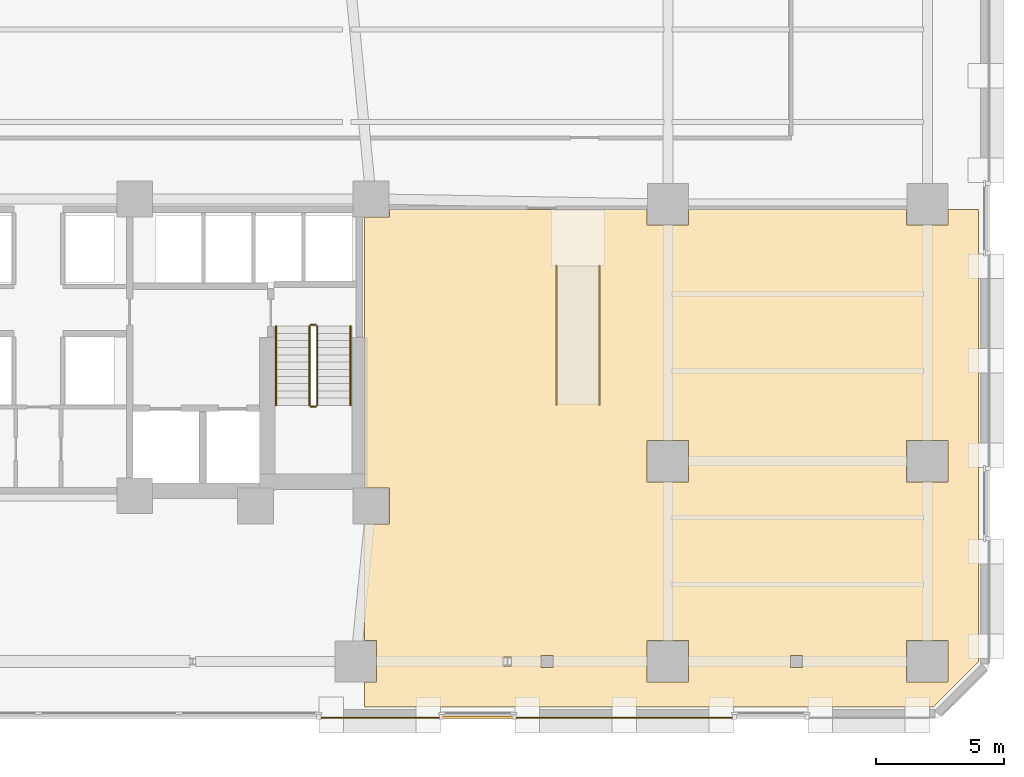
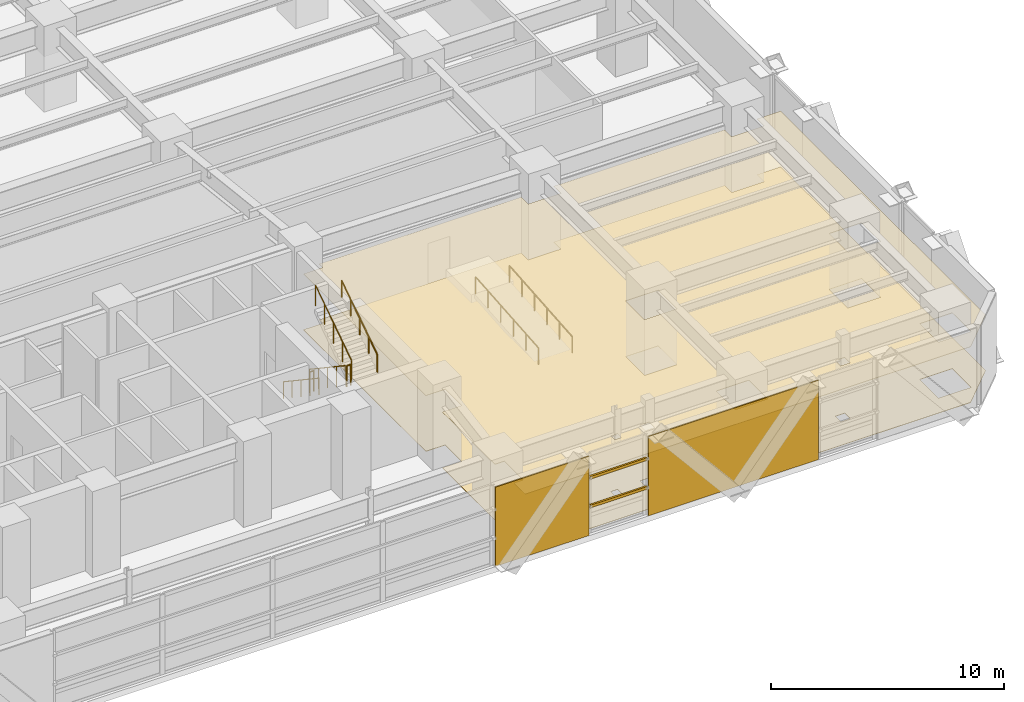
# One storey, part 22 of 26: 8 railings, 4 coverings, 2 shading devices.
"""IFC4 building model written with IfcOpenShell, lengths in metres."""

from ifc_helpers import new_model, si_unit, direction, frame, origin, origin_2d, place, context, subcontext, project, spatial, polyline, rectangle, circle, outline, extrude, material, layer, layer_set, material_profile, profile_set, type_object, element, save


model = new_model("IFC4")

# Units and contexts
model_context = context("Model", 3, precision=1e-05, world=origin(), true_north=direction((0.0, 1.0)))
body_context = subcontext(model_context, "Body", "Model", "MODEL_VIEW")
ifc_project = project(units=[si_unit("LENGTHUNIT", "METRE"), si_unit("AREAUNIT", "SQUARE_METRE"), si_unit("VOLUMEUNIT", "CUBIC_METRE"), si_unit("PLANEANGLEUNIT", "RADIAN"), si_unit("MASSUNIT", "GRAM", prefix="KILO")], contexts=[model_context])

# Site, building, storey
site_placement = place(None, origin())
site = spatial("IfcSite", under=ifc_project, at=site_placement, CompositionType="ELEMENT")
building_placement = place(site_placement, origin())
building = spatial("IfcBuilding", under=site, at=building_placement, Name="Quenlor Broadcast Tower", CompositionType="ELEMENT")
storey_placement = place(building_placement, frame((0.0, 0.0, 5.0)))
storey = spatial("IfcBuildingStorey", under=building, at=storey_placement, Name="L01", CompositionType="ELEMENT", Elevation=5.0)

# Covering
ifc_material_1 = material(Name="Acoustic Mineral Fibre Board", Category="other")
ifc_layer_1 = layer(ifc_material_1, 0.02490234375)
ifc_layer_set_1 = layer_set([ifc_layer_1], Name="Acoustic Perforated Mineral Tile Ceiling 25")
covering_type_1 = type_object("IfcCoveringType", Name="Acoustic Perforated Mineral Tile Ceiling 25", PredefinedType="CEILING", material=ifc_layer_set_1)
covering_1_placement = place(storey_placement, frame((0.0, 0.0, 2.925048828125)))
element("IfcCovering", 1, at=covering_1_placement, inside=storey, type_object=covering_type_1, Name="L01 Acoustic Ceiling L01-34", PredefinedType="CEILING", context=body_context, shape_type="SweptSolid", body=[
    extrude(outline(polyline([(12.699951171875, -24.580078125), (12.699951171875, -23.60791015625), (13.157958984375, -23.60791015625), (13.157958984375, -21.991943359375), (12.699951171875, -21.991943359375), (12.699951171875, -17.4580078125), (13.657958984375, -17.4580078125), (13.657958984375, -16.0419921875), (12.699951171875, -16.0419921875), (12.699951171875, -5.508056640625), (13.657958984375, -5.508056640625), (13.657958984375, -5.199951171875), (23.69189453125, -5.199951171875), (23.69189453125, -5.80810546875), (25.30810546875, -5.80810546875), (25.30810546875, -5.199951171875), (33.7919921875, -5.199951171875), (33.7919921875, -5.80810546875), (35.407958984375, -5.80810546875), (35.407958984375, -5.199951171875), (36.580078125, -5.199951171875), (36.580078125, -22.825927734375), (34.825927734375, -24.580078125), (12.699951171875, -24.580078125)]), holes=[polyline([(25.30810546875, -23.60791015625), (25.30810546875, -21.991943359375), (23.69189453125, -21.991943359375), (23.69189453125, -23.60791015625), (25.30810546875, -23.60791015625)]), polyline([(35.407958984375, -23.60791015625), (35.407958984375, -21.991943359375), (33.7919921875, -21.991943359375), (33.7919921875, -23.60791015625), (35.407958984375, -23.60791015625)]), polyline([(29.73291015625, -23.032958984375), (29.73291015625, -22.56689453125), (29.26708984375, -22.56689453125), (29.26708984375, -23.032958984375), (29.73291015625, -23.032958984375)]), polyline([(20.032958984375, -23.032958984375), (20.032958984375, -22.56689453125), (19.56689453125, -22.56689453125), (19.56689453125, -23.032958984375), (20.032958984375, -23.032958984375)]), polyline([(18.41259765625, -22.631591796875), (18.08740234375, -22.631591796875), (18.08740234375, -22.96826171875), (18.41259765625, -22.96826171875), (18.41259765625, -22.631591796875)]), polyline([(25.30810546875, -15.80810546875), (25.30810546875, -14.19189453125), (23.69189453125, -14.19189453125), (23.69189453125, -15.80810546875), (25.30810546875, -15.80810546875)]), polyline([(35.407958984375, -15.80810546875), (35.407958984375, -14.19189453125), (33.7919921875, -14.19189453125), (33.7919921875, -15.80810546875), (35.407958984375, -15.80810546875)])]), origin(), (0.0, 0.0, 1.0), 0.02490234375),
])

# Shading devices
ifc_material_2 = material(Name="Architectural Terracotta Ceramic", Category="masonry")
ifc_material_profile = material_profile(ifc_material_2, rectangle(XDim=0.090087890625, YDim=0.139892578125, at=origin_2d()))
ifc_profile_set = profile_set([ifc_material_profile], Name="Architectural Terracotta Ceramic BAG90x140")
shading_device_type = type_object("IfcShadingDeviceType", Name="Copper Terracotta Baguette Solar Screen 140", PredefinedType="USERDEFINED", material=ifc_profile_set)
for number, where, z_axis, x_axis, name in (
    (2, (18.509521484375, -24.972900390625, 1.511962890625), (-1.0, 0.0, 0.0), (0.0, -1.0, 0.0), "L01 Terracotta Baguette Screen 1"),
    (3, (18.509521484375, -24.972900390625, 3.02392578125), (-1.0, 0.0, 0.0), (0.0, -1.0, 0.0), "L01 Terracotta Baguette Screen 2"),
):
    element("IfcShadingDevice", number, at=place(storey_placement, frame(where, z_axis=z_axis, x_axis=x_axis)), inside=storey, type_object=shading_device_type, Name=name, ObjectType="BAGUETTE", PredefinedType="USERDEFINED", context=body_context, shape_type="SweptSolid", body=[
        extrude(rectangle(XDim=0.090087890625, YDim=0.139892578125, at=origin_2d()), origin(), (0.0, 0.0, 1.0), 2.819091796875),
    ])

# Coverings
ifc_material_3 = material(Name="Architectural Terracotta Ceramic", Category="masonry")
ifc_layer_2 = layer(ifc_material_3, 0.044921875)
ifc_layer_set_2 = layer_set([ifc_layer_2], Name="Fluted Terracotta Rainscreen Cladding Panel")
covering_type_2 = type_object("IfcCoveringType", Name="Fluted Terracotta Rainscreen Cladding Panel", PredefinedType="CLADDING", material=ifc_layer_set_2)
covering_2_placement = place(storey_placement, frame((0.0, 0.0, 0.02001953125)))
element("IfcCovering", 4, at=covering_2_placement, inside=storey, type_object=covering_type_2, Name="L01 Terracotta Rainscreen Cladding L01-S-FULL-SP2", PredefinedType="CLADDING", context=body_context, shape_type="SweptSolid", body=[
    extrude(outline(polyline([(27.01953125, -24.971923828125), (18.58056640625, -24.971923828125), (18.58056640625, -25.01708984375), (27.01953125, -25.01708984375), (27.01953125, -24.971923828125)])), origin(), (0.0, 0.0, 1.0), 4.159912109375),
])
covering_3_placement = place(storey_placement, frame((0.0, 0.0, 0.02001953125)))
element("IfcCovering", 5, at=covering_3_placement, inside=storey, type_object=covering_type_2, Name="L01 Terracotta Rainscreen Cladding L01-S-FULL-SP3", PredefinedType="CLADDING", context=body_context, shape_type="SweptSolid", body=[
    extrude(outline(polyline([(15.619384765625, -24.971923828125), (10.98046875, -24.971923828125), (10.98046875, -25.01708984375), (15.619384765625, -25.01708984375), (15.619384765625, -24.971923828125)])), origin(), (0.0, 0.0, 1.0), 4.159912109375),
])
ifc_material_4 = material(Name="Terrazzo Stone Finish", Category="masonry")
ifc_layer_3 = layer(ifc_material_4, 0.02001953125)
ifc_layer_set_3 = layer_set([ifc_layer_3], Name="Polished Sandstone Terrazzo Flooring 20")
covering_type_3 = type_object("IfcCoveringType", Name="Polished Sandstone Terrazzo Flooring 20", PredefinedType="FLOORING", material=ifc_layer_set_3)
covering_4_placement = place(storey_placement, origin())
element("IfcCovering", 6, at=covering_4_placement, inside=storey, type_object=covering_type_3, Name="L01 Terrazzo Flooring L01-34", PredefinedType="FLOORING", context=body_context, shape_type="SweptSolid", body=[
    extrude(outline(polyline([(12.699951171875, -24.580078125), (12.699951171875, -23.60791015625), (13.157958984375, -23.60791015625), (13.157958984375, -21.991943359375), (12.699951171875, -21.991943359375), (12.699951171875, -17.4580078125), (13.657958984375, -17.4580078125), (13.657958984375, -16.0419921875), (12.699951171875, -16.0419921875), (12.699951171875, -5.508056640625), (13.657958984375, -5.508056640625), (13.657958984375, -5.199951171875), (23.69189453125, -5.199951171875), (23.69189453125, -5.80810546875), (25.30810546875, -5.80810546875), (25.30810546875, -5.199951171875), (33.7919921875, -5.199951171875), (33.7919921875, -5.80810546875), (35.407958984375, -5.80810546875), (35.407958984375, -5.199951171875), (36.580078125, -5.199951171875), (36.580078125, -22.825927734375), (34.825927734375, -24.580078125), (12.699951171875, -24.580078125)]), holes=[polyline([(25.30810546875, -23.60791015625), (25.30810546875, -21.991943359375), (23.69189453125, -21.991943359375), (23.69189453125, -23.60791015625), (25.30810546875, -23.60791015625)]), polyline([(35.407958984375, -23.60791015625), (35.407958984375, -21.991943359375), (33.7919921875, -21.991943359375), (33.7919921875, -23.60791015625), (35.407958984375, -23.60791015625)]), polyline([(29.73291015625, -23.032958984375), (29.73291015625, -22.56689453125), (29.26708984375, -22.56689453125), (29.26708984375, -23.032958984375), (29.73291015625, -23.032958984375)]), polyline([(20.032958984375, -23.032958984375), (20.032958984375, -22.56689453125), (19.56689453125, -22.56689453125), (19.56689453125, -23.032958984375), (20.032958984375, -23.032958984375)]), polyline([(18.41259765625, -22.631591796875), (18.08740234375, -22.631591796875), (18.08740234375, -22.96826171875), (18.41259765625, -22.96826171875), (18.41259765625, -22.631591796875)]), polyline([(25.30810546875, -15.80810546875), (25.30810546875, -14.19189453125), (23.69189453125, -14.19189453125), (23.69189453125, -15.80810546875), (25.30810546875, -15.80810546875)]), polyline([(35.407958984375, -15.80810546875), (35.407958984375, -14.19189453125), (33.7919921875, -14.19189453125), (33.7919921875, -15.80810546875), (35.407958984375, -15.80810546875)])]), origin(), (0.0, 0.0, 1.0), 0.02001953125),
])

# Railings
ifc_material_5 = material(Name="Anodised Aluminium", Category="aluminium")
railing_type_1 = type_object("IfcRailingType", Name="Stainless Aluminium Wall Handrail 900", PredefinedType="HANDRAIL", material=ifc_material_5)
railing_1_placement = place(storey_placement, frame((9.25, -9.75, 0.1875)))
element("IfcRailing", 7, at=railing_1_placement, inside=storey, type_object=railing_type_1, Name="L01 ST-2 stair handrail 1", PredefinedType="HANDRAIL", context=body_context, shape_type="SweptSolid", body=[
    extrude(circle(Radius=0.02392578125, at=origin_2d()), frame((0.0, 0.0, 0.8759765625), z_axis=(0.0, -0.830913701846, 0.55640131208), x_axis=(1.0, 0.0, 0.0)), (0.0, 0.0, 1.0), 3.706787109375),
    extrude(circle(Radius=0.02099609375, at=origin_2d()), origin(), (0.0, 0.0, 1.0), 0.851806640625),
    extrude(circle(Radius=0.02099609375, at=origin_2d()), frame((0.0, -0.77001953125, 0.515625)), (0.0, 0.0, 1.0), 0.851806640625),
    extrude(circle(Radius=0.02099609375, at=origin_2d()), frame((0.0, -1.5400390625, 1.03125)), (0.0, 0.0, 1.0), 0.851806640625),
    extrude(circle(Radius=0.02099609375, at=origin_2d()), frame((0.0, -2.31005859375, 1.546875)), (0.0, 0.0, 1.0), 0.851806640625),
    extrude(circle(Radius=0.02099609375, at=origin_2d()), frame((0.0, -3.080078125, 2.0625)), (0.0, 0.0, 1.0), 0.851806640625),
])
railing_2_placement = place(storey_placement, frame((12.14990234375, -12.830078125, 2.4375)))
element("IfcRailing", 8, at=railing_2_placement, inside=storey, type_object=railing_type_1, Name="L01 ST-2 stair handrail 2", PredefinedType="HANDRAIL", context=body_context, shape_type="SweptSolid", body=[
    extrude(circle(Radius=0.02392578125, at=origin_2d()), frame((0.0, 0.0, 0.8759765625), z_axis=(0.0, 0.830913701846, 0.55640131208), x_axis=(-1.0, 0.0, 0.0)), (0.0, 0.0, 1.0), 3.706787109375),
    extrude(circle(Radius=0.02099609375, at=origin_2d()), origin(), (0.0, 0.0, 1.0), 0.851806640625),
    extrude(circle(Radius=0.02099609375, at=origin_2d()), frame((0.0, 0.77001953125, 0.515625)), (0.0, 0.0, 1.0), 0.851806640625),
    extrude(circle(Radius=0.02099609375, at=origin_2d()), frame((0.0, 1.5400390625, 1.03125)), (0.0, 0.0, 1.0), 0.851806640625),
    extrude(circle(Radius=0.02099609375, at=origin_2d()), frame((0.0, 2.31005859375, 1.546875)), (0.0, 0.0, 1.0), 0.851806640625),
    extrude(circle(Radius=0.02099609375, at=origin_2d()), frame((0.0, 3.080078125, 2.0625)), (0.0, 0.0, 1.0), 0.851806640625),
])
for number, where, name in (
    (9, (20.159912109375, -12.800048828125, 0.0), "L01 Accessible Ramp Handrail 2L"),
    (10, (21.840087890625, -12.800048828125, 0.0), "L01 Accessible Ramp Handrail 2R"),
):
    element("IfcRailing", number, at=place(storey_placement, frame(where)), inside=storey, type_object=railing_type_1, Name=name, PredefinedType="HANDRAIL", context=body_context, shape_type="SweptSolid", body=[
        extrude(circle(Radius=0.02392578125, at=origin_2d()), frame((0.0, 0.0, 0.8759765625), z_axis=(0.0, 0.996546690331, 0.083034294059), x_axis=(-1.0, 0.0, 0.0)), (0.0, 0.0, 1.0), 5.4189453125),
        extrude(circle(Radius=0.02099609375, at=origin_2d()), origin(), (0.0, 0.0, 1.0), 0.851806640625),
        extrude(circle(Radius=0.02099609375, at=origin_2d()), frame((0.0, 1.080078125, 0.090087890625)), (0.0, 0.0, 1.0), 0.851806640625),
        extrude(circle(Radius=0.02099609375, at=origin_2d()), frame((0.0, 2.16015625, 0.179931640625)), (0.0, 0.0, 1.0), 0.851806640625),
        extrude(circle(Radius=0.02099609375, at=origin_2d()), frame((0.0, 3.239990234375, 0.27001953125)), (0.0, 0.0, 1.0), 0.851806640625),
        extrude(circle(Radius=0.02099609375, at=origin_2d()), frame((0.0, 4.320068359375, 0.35986328125)), (0.0, 0.0, 1.0), 0.851806640625),
        extrude(circle(Radius=0.02099609375, at=origin_2d()), frame((0.0, 5.400146484375, 0.449951171875)), (0.0, 0.0, 1.0), 0.851806640625),
    ])
ifc_material_6 = material(Name="Steel S355", Category="steel")
railing_type_2 = type_object("IfcRailingType", Name="Tubular Steel S355 Stair Guardrail 1100", PredefinedType="BALUSTRADE", material=ifc_material_6)
railing_3_placement = place(storey_placement, frame((10.550048828125, -9.75, 0.1875)))
element("IfcRailing", 11, at=railing_3_placement, inside=storey, type_object=railing_type_2, Name="L01 ST-2 stair guard 1", PredefinedType="BALUSTRADE", context=body_context, shape_type="SweptSolid", body=[
    extrude(circle(Radius=0.02392578125, at=origin_2d()), frame((0.0, 0.0, 1.076171875), z_axis=(0.0, -0.830913701846, 0.55640131208), x_axis=(1.0, 0.0, 0.0)), (0.0, 0.0, 1.0), 3.706787109375),
    extrude(circle(Radius=0.02099609375, at=origin_2d()), origin(), (0.0, 0.0, 1.0), 1.052001953125),
    extrude(circle(Radius=0.02099609375, at=origin_2d()), frame((0.0, -0.77001953125, 0.515625)), (0.0, 0.0, 1.0), 1.052001953125),
    extrude(circle(Radius=0.02099609375, at=origin_2d()), frame((0.0, -1.5400390625, 1.03125)), (0.0, 0.0, 1.0), 1.052001953125),
    extrude(circle(Radius=0.02099609375, at=origin_2d()), frame((0.0, -2.31005859375, 1.546875)), (0.0, 0.0, 1.0), 1.052001953125),
    extrude(circle(Radius=0.02099609375, at=origin_2d()), frame((0.0, -3.080078125, 2.0625)), (0.0, 0.0, 1.0), 1.052001953125),
])
railing_4_placement = place(storey_placement, frame((10.60009765625, -12.8798828125, 2.25)))
element("IfcRailing", 12, at=railing_4_placement, inside=storey, type_object=railing_type_2, Name="L01 ST-2 stair guard 2", PredefinedType="BALUSTRADE", context=body_context, shape_type="SweptSolid", body=[
    extrude(circle(Radius=0.02392578125, at=origin_2d()), frame((0.0, 0.0, 1.076171875), z_axis=(1.0, 0.0, 0.0), x_axis=(0.0, 1.0, 0.0)), (0.0, 0.0, 1.0), 0.199951171875),
    extrude(circle(Radius=0.02099609375, at=origin_2d()), origin(), (0.0, 0.0, 1.0), 1.052001953125),
    extrude(circle(Radius=0.02099609375, at=origin_2d()), frame((0.199951171875, 0.0, 0.0)), (0.0, 0.0, 1.0), 1.052001953125),
])
railing_5_placement = place(storey_placement, frame((10.85009765625, -12.830078125, 2.4375)))
element("IfcRailing", 13, at=railing_5_placement, inside=storey, type_object=railing_type_2, Name="L01 ST-2 stair guard 3", PredefinedType="BALUSTRADE", context=body_context, shape_type="SweptSolid", body=[
    extrude(circle(Radius=0.02392578125, at=origin_2d()), frame((0.0, 0.0, 1.076171875), z_axis=(0.0, 0.830913701846, 0.55640131208), x_axis=(-1.0, 0.0, 0.0)), (0.0, 0.0, 1.0), 3.706787109375),
    extrude(circle(Radius=0.02099609375, at=origin_2d()), origin(), (0.0, 0.0, 1.0), 1.052001953125),
    extrude(circle(Radius=0.02099609375, at=origin_2d()), frame((0.0, 0.77001953125, 0.515625)), (0.0, 0.0, 1.0), 1.052001953125),
    extrude(circle(Radius=0.02099609375, at=origin_2d()), frame((0.0, 1.5400390625, 1.03125)), (0.0, 0.0, 1.0), 1.052001953125),
    extrude(circle(Radius=0.02099609375, at=origin_2d()), frame((0.0, 2.31005859375, 1.546875)), (0.0, 0.0, 1.0), 1.052001953125),
    extrude(circle(Radius=0.02099609375, at=origin_2d()), frame((0.0, 3.080078125, 2.0625)), (0.0, 0.0, 1.0), 1.052001953125),
])
railing_6_placement = place(storey_placement, frame((10.60009765625, -9.699951171875, 0.0)))
element("IfcRailing", 14, at=railing_6_placement, inside=storey, type_object=railing_type_2, Name="L01 ST-2 stair guard 4", PredefinedType="BALUSTRADE", context=body_context, shape_type="SweptSolid", body=[
    extrude(circle(Radius=0.02392578125, at=origin_2d()), frame((0.0, 0.0, 1.076171875), z_axis=(1.0, 0.0, 0.0), x_axis=(0.0, 1.0, 0.0)), (0.0, 0.0, 1.0), 0.199951171875),
    extrude(circle(Radius=0.02099609375, at=origin_2d()), origin(), (0.0, 0.0, 1.0), 1.052001953125),
    extrude(circle(Radius=0.02099609375, at=origin_2d()), frame((0.199951171875, 0.0, 0.0)), (0.0, 0.0, 1.0), 1.052001953125),
])

save(model, "model.ifc")
